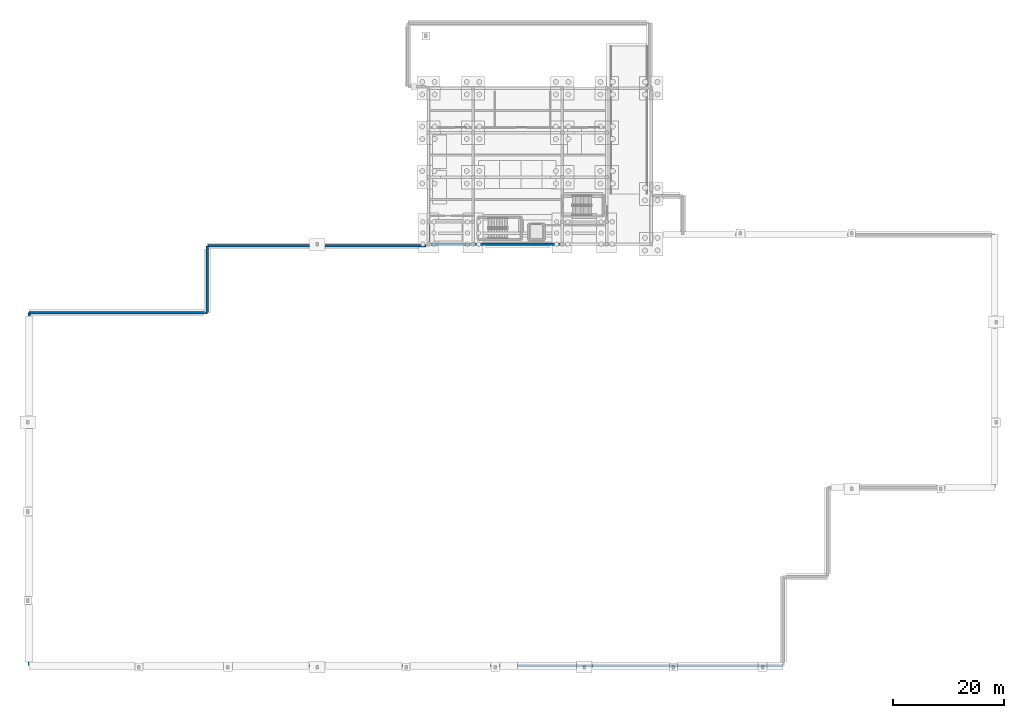
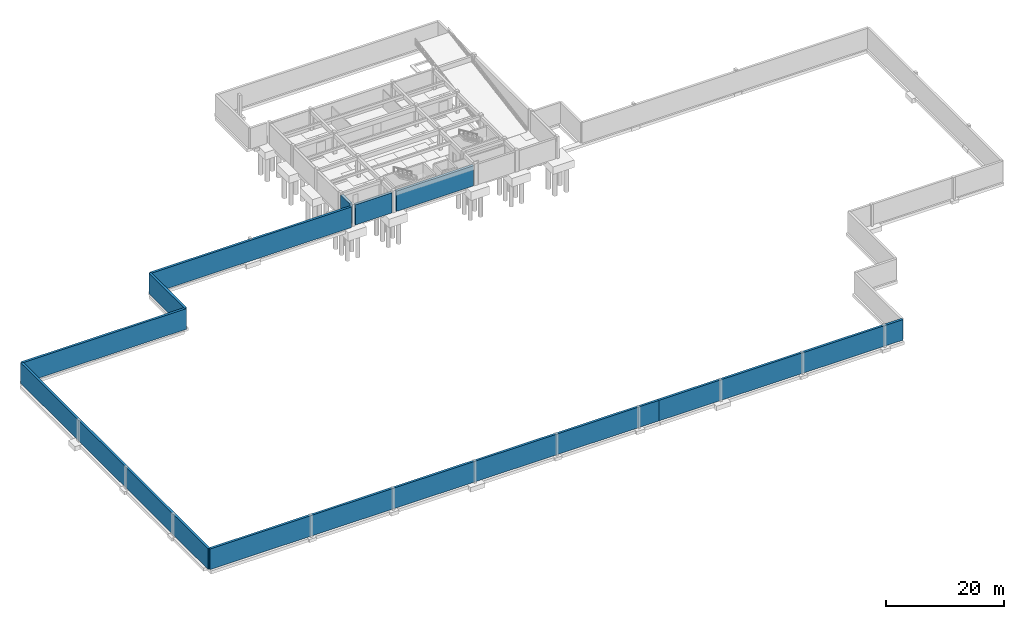
# One storey, part 5 of 11: 9 walls.
"""IFC4 building model written with IfcOpenShell, lengths in metres."""

from ifc_helpers import new_model, si_unit, direction, frame, frame_2d, origin, place, context, subcontext, project, spatial, rectangle, extrude, material, layer, layer_set, type_object, element, save


model = new_model("IFC4")

# Units and contexts
model_context = context("Model", 3, precision=1e-05, world=origin(), true_north=direction((0.0, 1.0)))
body_context = subcontext(model_context, "Body", "Model", "MODEL_VIEW")
ifc_project = project(units=[si_unit("LENGTHUNIT", "METRE"), si_unit("AREAUNIT", "SQUARE_METRE"), si_unit("VOLUMEUNIT", "CUBIC_METRE"), si_unit("PLANEANGLEUNIT", "RADIAN"), si_unit("MASSUNIT", "GRAM", prefix="KILO")], contexts=[model_context])

# Site, building, storey
site_placement = place(None, origin())
site = spatial("IfcSite", under=ifc_project, at=site_placement, CompositionType="ELEMENT")
building_placement = place(site_placement, origin())
building = spatial("IfcBuilding", under=site, at=building_placement, Name="Serraluz Foothill Cableway Terminal", CompositionType="ELEMENT")
storey_placement = place(building_placement, frame((0.0, 0.0, -4.5)))
storey = spatial("IfcBuildingStorey", under=building, at=storey_placement, Name="B1", CompositionType="ELEMENT", Elevation=-4.5)

# Walls
ifc_material = material(Name="Concrete C35/45 (f'c 35 MPa)", Category="concrete")
ifc_layer_1 = layer(ifc_material, 0.449951171875, Name="Concrete C35/45 (f'c 35 MPa)", Category="concrete")
ifc_layer_set_1 = layer_set([ifc_layer_1], Name="Concrete C35/45 (f'c 35 MPa)")
wall_type_1 = type_object("IfcWallType", Name="TYP-WL-RET-450", PredefinedType="USERDEFINED", material=ifc_layer_set_1)
wall_1_placement = place(storey_placement, frame((72.449951171875, 76.0, 0.0), z_axis=(0.0, 0.0, 1.0), x_axis=(1.0, 0.0, 0.0)))
element("IfcWall", 1, at=wall_1_placement, inside=storey, type_object=wall_type_1, Name="Earth Retaining Plinth Wall RW-B1-S1", ObjectType="RETAININGWALL", PredefinedType="USERDEFINED", context=body_context, shape_type="SweptSolid", body=[
    extrude(rectangle(XDim=7.10009765625, YDim=0.449951171875, at=frame_2d((3.550048828125, 0.0))), origin(), (0.0, 0.0, 1.0), 4.179931640625),
])
wall_2_placement = place(storey_placement, frame((80.449951171875, 76.0, 0.0), z_axis=(0.0, 0.0, 1.0), x_axis=(1.0, 0.0, 0.0)))
element("IfcWall", 2, at=wall_2_placement, inside=storey, type_object=wall_type_1, Name="Earth Retaining Plinth Wall RW-B1-S2", ObjectType="RETAININGWALL", PredefinedType="USERDEFINED", context=body_context, shape_type="SweptSolid", body=[
    extrude(rectangle(XDim=15.10009765625, YDim=0.449951171875, at=frame_2d((7.550048828125, 0.0))), origin(), (0.0, 0.0, 1.0), 4.179931640625),
])
wall_3_placement = place(storey_placement, frame((0.300048828125, 0.300048828125, 0.0), z_axis=(0.0, 0.0, 1.0), x_axis=(1.0, 0.0, 0.0)))
element("IfcWall", 3, at=wall_3_placement, inside=storey, type_object=wall_type_1, Name="Earth Retaining Plinth Wall PLN-S-01", ObjectType="RETAININGWALL", PredefinedType="USERDEFINED", context=body_context, shape_type="SweptSolid", body=[
    extrude(rectangle(XDim=87.699951171875, YDim=0.449951171875, at=frame_2d((43.85009765625, 0.0))), origin(), (0.0, 0.0, 1.0), 4.260009765625),
])
wall_4_placement = place(storey_placement, frame((88.0, 0.300048828125, 0.0), z_axis=(0.0, 0.0, 1.0), x_axis=(1.0, 0.0, 0.0)))
element("IfcWall", 4, at=wall_4_placement, inside=storey, type_object=wall_type_1, Name="Earth Retaining Plinth Wall PLN-S-02", ObjectType="RETAININGWALL", PredefinedType="USERDEFINED", context=body_context, shape_type="SweptSolid", body=[
    extrude(rectangle(XDim=47.699951171875, YDim=0.449951171875, at=frame_2d((23.85009765625, 0.0))), origin(), (0.0, 0.0, 1.0), 4.260009765625),
])
wall_5_placement = place(storey_placement, frame((71.550048828125, 75.699951171875, 0.0), z_axis=(0.0, 0.0, 1.0), x_axis=(-1.0, 0.0, 0.0)))
element("IfcWall", 5, at=wall_5_placement, inside=storey, type_object=wall_type_1, Name="Earth Retaining Plinth Wall PLN-N-04", ObjectType="RETAININGWALL", PredefinedType="USERDEFINED", context=body_context, shape_type="SweptSolid", body=[
    extrude(rectangle(XDim=39.25, YDim=0.449951171875, at=frame_2d((19.625, 0.0))), origin(), (0.0, 0.0, 1.0), 4.260009765625),
])
wall_6_placement = place(storey_placement, frame((32.300048828125, 75.699951171875, 0.0), z_axis=(0.0, 0.0, 1.0), x_axis=(0.0, -1.0, 0.0)))
element("IfcWall", 6, at=wall_6_placement, inside=storey, type_object=wall_type_1, Name="Earth Retaining Plinth Wall PLN-W-02", ObjectType="RETAININGWALL", PredefinedType="USERDEFINED", context=body_context, shape_type="SweptSolid", body=[
    extrude(rectangle(XDim=12.0, YDim=0.449951171875, at=frame_2d((6.0, 0.0))), origin(), (0.0, 0.0, 1.0), 4.260009765625),
])
wall_7_placement = place(storey_placement, frame((32.300048828125, 63.699951171875, 0.0), z_axis=(0.0, 0.0, 1.0), x_axis=(-1.0, 0.0, 0.0)))
element("IfcWall", 7, at=wall_7_placement, inside=storey, type_object=wall_type_1, Name="Earth Retaining Plinth Wall PLN-N-05", ObjectType="RETAININGWALL", PredefinedType="USERDEFINED", context=body_context, shape_type="SweptSolid", body=[
    extrude(rectangle(XDim=32.0, YDim=0.449951171875, at=frame_2d((16.0, 0.0))), origin(), (0.0, 0.0, 1.0), 4.260009765625),
])
wall_8_placement = place(storey_placement, frame((0.300048828125, 63.699951171875, 0.0), z_axis=(0.0, 0.0, 1.0), x_axis=(0.0, -1.0, 0.0)))
element("IfcWall", 8, at=wall_8_placement, inside=storey, type_object=wall_type_1, Name="Earth Retaining Plinth Wall PLN-W-03", ObjectType="RETAININGWALL", PredefinedType="USERDEFINED", context=body_context, shape_type="SweptSolid", body=[
    extrude(rectangle(XDim=63.39990234375, YDim=0.449951171875, at=frame_2d((31.699951171875, 0.0))), origin(), (0.0, 0.0, 1.0), 4.260009765625),
])
ifc_layer_2 = layer(ifc_material, 0.550048828125, Name="Concrete C35/45 (f'c 35 MPa)", Category="concrete")
ifc_layer_set_2 = layer_set([ifc_layer_2], Name="Concrete C35/45 (f'c 35 MPa)")
wall_type_2 = type_object("IfcWallType", Name="TYP-WL-RET-550", PredefinedType="USERDEFINED", material=ifc_layer_set_2)
wall_9_placement = place(storey_placement, frame((72.0, 79.550048828125, 0.0), z_axis=(0.0, 0.0, 1.0), x_axis=(0.0, -1.0, 0.0)))
element("IfcWall", 9, at=wall_9_placement, inside=storey, type_object=wall_type_2, Name="Earth Retaining Plinth Wall RW-B1-W4", ObjectType="RETAININGWALL", PredefinedType="USERDEFINED", context=body_context, shape_type="SweptSolid", body=[
    extrude(rectangle(XDim=3.10009765625, YDim=0.550048828125, at=frame_2d((1.550048828125, 0.0))), origin(), (0.0, 0.0, 1.0), 4.179931640625),
])

save(model, "model.ifc")
